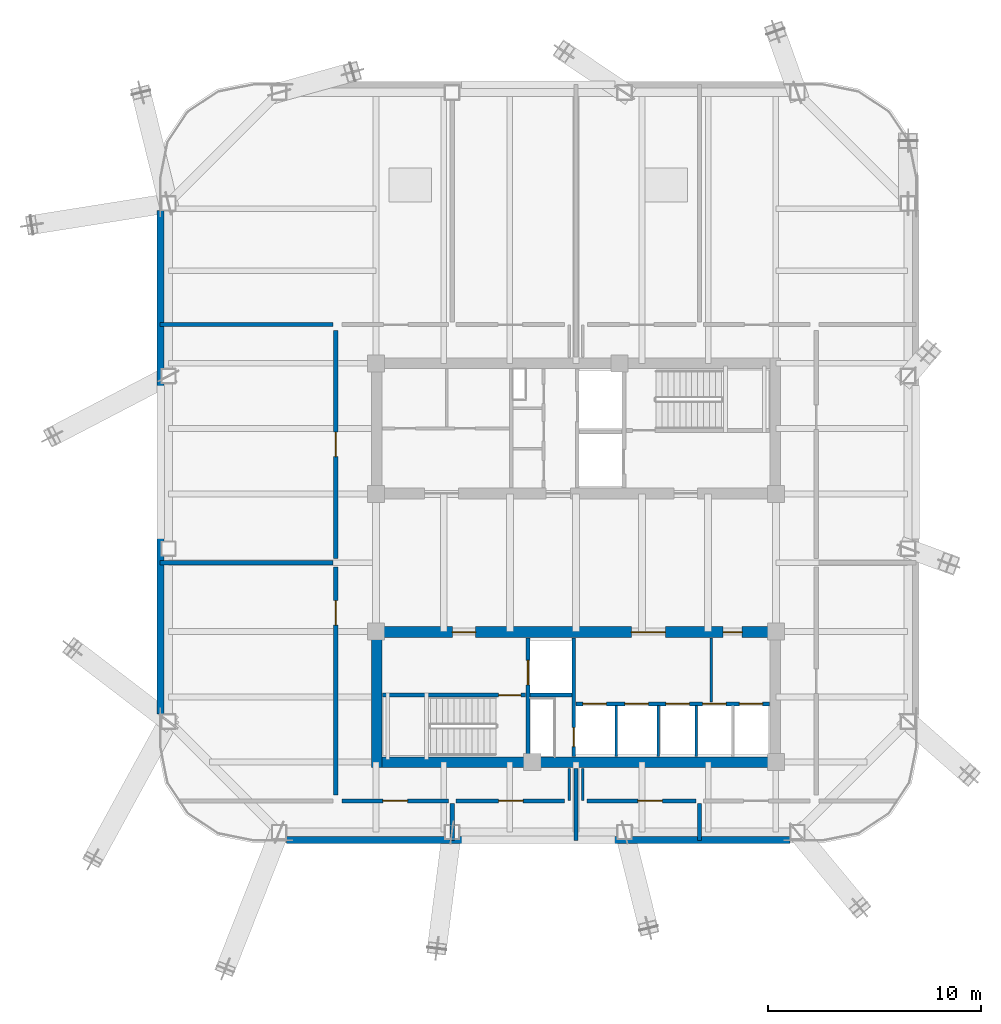
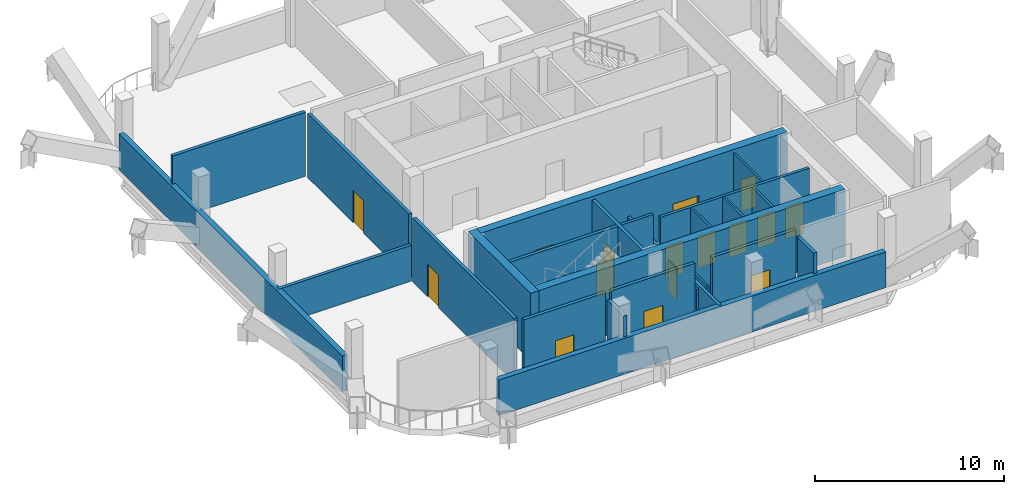
# One storey, part 3 of 8: 26 walls, 16 doors, 16 openings.
"""IFC4 building model written with IfcOpenShell, lengths in metres."""

from ifc_helpers import new_model, si_unit, direction, frame, frame_2d, origin, place, context, subcontext, project, spatial, rectangle, extrude, material, layer, layer_set, type_object, element, fill, save


model = new_model("IFC4")

# Units and contexts
model_context = context("Model", 3, precision=1e-05, world=origin(), true_north=direction((0.0, 1.0)))
body_context = subcontext(model_context, "Body", "Model", "MODEL_VIEW")
ifc_project = project(units=[si_unit("LENGTHUNIT", "METRE"), si_unit("AREAUNIT", "SQUARE_METRE"), si_unit("VOLUMEUNIT", "CUBIC_METRE"), si_unit("PLANEANGLEUNIT", "RADIAN"), si_unit("MASSUNIT", "GRAM", prefix="KILO")], contexts=[model_context])

# Site, building, storey
site_placement = place(None, origin())
site = spatial("IfcSite", under=ifc_project, at=site_placement, CompositionType="ELEMENT")
building_placement = place(site_placement, origin())
building = spatial("IfcBuilding", under=site, at=building_placement, Name="Qhalaya Broadcast Tower", CompositionType="ELEMENT")
storey_placement = place(building_placement, frame((0.0, 0.0, 151.800048828125)))
storey = spatial("IfcBuildingStorey", under=building, at=storey_placement, Name="L44", CompositionType="ELEMENT", Elevation=151.800048828125)

# Wall
ifc_material_1 = material(Name="Gypsum Acoustic Partition")
ifc_layer_1 = layer(ifc_material_1, 0.199951171875, Name="Gypsum Acoustic Partition")
ifc_layer_set_1 = layer_set([ifc_layer_1], Name="Gypsum Acoustic Partition")
wall_type_1 = type_object("IfcWallType", Name="Firefighting Lobby & Stair Enclosure Wall 200", PredefinedType="PARTITIONING", material=ifc_layer_set_1)
wall_1_placement = place(storey_placement, frame((0.0, -12.419921875, 0.0), z_axis=(0.0, 0.0, 1.0), x_axis=(0.0, 1.0, 0.0)))
element("IfcWall", 1, at=wall_1_placement, inside=storey, type_object=wall_type_1, Name="L44 Partition Wall W-OBS", PredefinedType="PARTITIONING", context=body_context, shape_type="SweptSolid", body=[
    extrude(rectangle(XDim=3.3798828125, YDim=0.199951171875, at=frame_2d((1.68994140625, 0.0))), origin(), (0.0, 0.0, 1.0), 2.31005859375),
])

# Wall, opening, door
wall_2_placement = place(storey_placement, frame((-10.969970703125, -10.570068359375, 0.0), z_axis=(0.0, 0.0, 1.0), x_axis=(1.0, 0.0, 0.0)))
wall_2 = element("IfcWall", 2, at=wall_2_placement, inside=storey, type_object=wall_type_1, Name="L44 Partition Wall W-PCS0", PredefinedType="PARTITIONING", context=body_context, shape_type="SweptSolid", body=[
    extrude(rectangle(XDim=4.989990234375, YDim=0.199951171875, at=frame_2d((2.4951171875, 0.0))), origin(), (0.0, 0.0, 1.0), 4.1298828125),
])
opening_1_placement = place(wall_2_placement, frame((1.919921875, 0.0, 0.0)))
opening_1 = element("IfcOpeningElement", 3, at=opening_1_placement, cuts=wall_2, Name="Opening D05", PredefinedType="OPENING", context=body_context, shape_type="SweptSolid", body=[
    extrude(rectangle(XDim=1.14990234375, YDim=2.10009765625, at=frame_2d((0.574951171875, 1.050048828125))), frame((0.0, 0.112060546875, 0.0), z_axis=(0.0, -1.0, 0.0), x_axis=(1.0, 0.0, 0.0)), (0.0, 0.0, 1.0), 0.223876953125),
])
ifc_material_2 = material(Name="Fire-Rated Steel Door", Category="steel")
door_type_1 = type_object("IfcDoorType", Name="Refuge & Plant Room Fire Door D05", OperationType="NOTDEFINED", PredefinedType="DOOR", material=ifc_material_2)
door_1_placement = place(opening_1_placement, origin())
door_1 = element("IfcDoor", 4, at=door_1_placement, inside=storey, type_object=door_type_1, Name="L44 Door D-PCS0", OperationType="SINGLE_SWING_RIGHT", OverallHeight=2.10009765625, OverallWidth=1.14990234375, PredefinedType="DOOR", context=body_context, shape_type="SweptSolid", body=[
    extrude(rectangle(XDim=1.14990234375, YDim=2.10009765625, at=frame_2d((0.574951171875, 1.050048828125))), frame((0.0, 0.02490234375, 0.0), z_axis=(0.0, -1.0, 0.0), x_axis=(1.0, 0.0, 0.0)), (0.0, 0.0, 1.0), 0.050048828125),
])
fill(opening_1, door_1)

# Wall
wall_3_placement = place(storey_placement, frame((-5.800048828125, -12.419921875, 0.0), z_axis=(0.0, 0.0, 1.0), x_axis=(0.0, 1.0, 0.0)))
element("IfcWall", 5, at=wall_3_placement, inside=storey, type_object=wall_type_1, Name="L44 Partition Wall W-PDS1", PredefinedType="PARTITIONING", context=body_context, shape_type="SweptSolid", body=[
    extrude(rectangle(XDim=1.72998046875, YDim=0.199951171875, at=frame_2d((0.864990234375, 0.0))), origin(), (0.0, 0.0, 1.0), 3.64697265625),
])

# Wall, opening, door
wall_4_placement = place(storey_placement, frame((-5.6201171875, -10.570068359375, 0.0), z_axis=(0.0, 0.0, 1.0), x_axis=(1.0, 0.0, 0.0)))
wall_4 = element("IfcWall", 6, at=wall_4_placement, inside=storey, type_object=wall_type_1, Name="L44 Partition Wall W-PCS1", PredefinedType="PARTITIONING", context=body_context, shape_type="SweptSolid", body=[
    extrude(rectangle(XDim=5.090087890625, YDim=0.199951171875, at=frame_2d((2.544921875, 0.0))), origin(), (0.0, 0.0, 1.0), 4.1298828125),
])
opening_2_placement = place(wall_4_placement, frame((1.989990234375, 0.0, 0.0)))
opening_2 = element("IfcOpeningElement", 7, at=opening_2_placement, cuts=wall_4, Name="Opening D05", PredefinedType="OPENING", context=body_context, shape_type="SweptSolid", body=[
    extrude(rectangle(XDim=1.14990234375, YDim=2.10009765625, at=frame_2d((0.574951171875, 1.050048828125))), frame((0.0, 0.112060546875, 0.0), z_axis=(0.0, -1.0, 0.0), x_axis=(1.0, 0.0, 0.0)), (0.0, 0.0, 1.0), 0.223876953125),
])
door_2_placement = place(opening_2_placement, origin())
door_2 = element("IfcDoor", 8, at=door_2_placement, inside=storey, type_object=door_type_1, Name="L44 Door D-PCS1", OperationType="SINGLE_SWING_RIGHT", OverallHeight=2.10009765625, OverallWidth=1.14990234375, PredefinedType="DOOR", context=body_context, shape_type="SweptSolid", body=[
    extrude(rectangle(XDim=1.14990234375, YDim=2.10009765625, at=frame_2d((0.574951171875, 1.050048828125))), frame((0.0, 0.02490234375, 0.0), z_axis=(0.0, -1.0, 0.0), x_axis=(1.0, 0.0, 0.0)), (0.0, 0.0, 1.0), 0.050048828125),
])
fill(opening_2, door_2)

wall_5_placement = place(storey_placement, frame((0.530029296875, -10.570068359375, 0.0), z_axis=(0.0, 0.0, 1.0), x_axis=(1.0, 0.0, 0.0)))
wall_5 = element("IfcWall", 9, at=wall_5_placement, inside=storey, type_object=wall_type_1, Name="L44 Partition Wall W-PCS2", PredefinedType="PARTITIONING", context=body_context, shape_type="SweptSolid", body=[
    extrude(rectangle(XDim=5.090087890625, YDim=0.199951171875, at=frame_2d((2.544921875, 0.0))), origin(), (0.0, 0.0, 1.0), 4.1298828125),
])
opening_3_placement = place(wall_5_placement, frame((2.3701171875, 0.0, 0.0)))
opening_3 = element("IfcOpeningElement", 10, at=opening_3_placement, cuts=wall_5, Name="Opening D05", PredefinedType="OPENING", context=body_context, shape_type="SweptSolid", body=[
    extrude(rectangle(XDim=1.14990234375, YDim=2.10009765625, at=frame_2d((0.574951171875, 1.050048828125))), frame((0.0, 0.112060546875, 0.0), z_axis=(0.0, -1.0, 0.0), x_axis=(1.0, 0.0, 0.0)), (0.0, 0.0, 1.0), 0.223876953125),
])
door_3_placement = place(opening_3_placement, origin())
door_3 = element("IfcDoor", 11, at=door_3_placement, inside=storey, type_object=door_type_1, Name="L44 Door D-PCS2", OperationType="SINGLE_SWING_RIGHT", OverallHeight=2.10009765625, OverallWidth=1.14990234375, PredefinedType="DOOR", context=body_context, shape_type="SweptSolid", body=[
    extrude(rectangle(XDim=1.14990234375, YDim=2.10009765625, at=frame_2d((0.574951171875, 1.050048828125))), frame((0.0, 0.02490234375, 0.0), z_axis=(0.0, -1.0, 0.0), x_axis=(1.0, 0.0, 0.0)), (0.0, 0.0, 1.0), 0.050048828125),
])
fill(opening_3, door_3)

# Walls
wall_6_placement = place(storey_placement, frame((5.800048828125, -12.419921875, 0.0), z_axis=(0.0, 0.0, 1.0), x_axis=(0.0, 1.0, 0.0)))
element("IfcWall", 12, at=wall_6_placement, inside=storey, type_object=wall_type_1, Name="L44 Partition Wall W-PDS3", PredefinedType="PARTITIONING", context=body_context, shape_type="SweptSolid", body=[
    extrude(rectangle(XDim=1.72998046875, YDim=0.199951171875, at=frame_2d((0.864990234375, 0.0))), origin(), (0.0, 0.0, 1.0), 3.64697265625),
])
wall_7_placement = place(storey_placement, frame((-19.5, 11.77001953125, 0.0), z_axis=(0.0, 0.0, 1.0), x_axis=(1.0, 0.0, 0.0)))
element("IfcWall", 13, at=wall_7_placement, inside=storey, type_object=wall_type_1, Name="L44 Partition Wall W-PBNW", PredefinedType="PARTITIONING", context=body_context, shape_type="SweptSolid", body=[
    extrude(rectangle(XDim=8.110107421875, YDim=0.199951171875, at=frame_2d((4.05517578125, 0.0))), origin(), (0.0, 0.0, 1.0), 4.1298828125),
])
wall_8_placement = place(storey_placement, frame((-19.5, 0.60009765625, 0.0), z_axis=(0.0, 0.0, 1.0), x_axis=(1.0, 0.0, 0.0)))
element("IfcWall", 14, at=wall_8_placement, inside=storey, type_object=wall_type_1, Name="L44 Partition Wall W-PDW1", PredefinedType="PARTITIONING", context=body_context, shape_type="SweptSolid", body=[
    extrude(rectangle(XDim=8.110107421875, YDim=0.199951171875, at=frame_2d((4.05517578125, 0.0))), origin(), (0.0, 0.0, 1.0), 2.31005859375),
])

# Wall, opening, door
wall_9_placement = place(storey_placement, frame((-11.27001953125, 0.389892578125, 0.0), z_axis=(0.0, 0.0, 1.0), x_axis=(0.0, -1.0, 0.0)))
wall_9 = element("IfcWall", 15, at=wall_9_placement, inside=storey, type_object=wall_type_1, Name="L44 Partition Wall W-PCW1", PredefinedType="PARTITIONING", context=body_context, shape_type="SweptSolid", body=[
    extrude(rectangle(XDim=10.679931640625, YDim=0.199951171875, at=frame_2d((5.33984375, 0.0))), origin(), (0.0, 0.0, 1.0), 4.1298828125),
])
opening_4_placement = place(wall_9_placement, frame((1.56103515625, 0.0, 0.0)))
opening_4 = element("IfcOpeningElement", 16, at=opening_4_placement, cuts=wall_9, Name="Opening D05", PredefinedType="OPENING", context=body_context, shape_type="SweptSolid", body=[
    extrude(rectangle(XDim=1.14990234375, YDim=2.10009765625, at=frame_2d((0.574951171875, 1.050048828125))), frame((0.0, 0.112060546875, 0.0), z_axis=(0.0, -1.0, 0.0), x_axis=(1.0, 0.0, 0.0)), (0.0, 0.0, 1.0), 0.223876953125),
])
door_4_placement = place(opening_4_placement, origin())
door_4 = element("IfcDoor", 17, at=door_4_placement, inside=storey, type_object=door_type_1, Name="L44 Door D-PCW1", OperationType="SINGLE_SWING_LEFT", OverallHeight=2.10009765625, OverallWidth=1.14990234375, PredefinedType="DOOR", context=body_context, shape_type="SweptSolid", body=[
    extrude(rectangle(XDim=1.14990234375, YDim=2.10009765625, at=frame_2d((0.574951171875, 1.050048828125))), frame((0.0, 0.02490234375, 0.0), z_axis=(0.0, -1.0, 0.0), x_axis=(1.0, 0.0, 0.0)), (0.0, 0.0, 1.0), 0.050048828125),
])
fill(opening_4, door_4)

wall_10_placement = place(storey_placement, frame((-11.27001953125, 11.489990234375, 0.0), z_axis=(0.0, 0.0, 1.0), x_axis=(0.0, -1.0, 0.0)))
wall_10 = element("IfcWall", 18, at=wall_10_placement, inside=storey, type_object=wall_type_1, Name="L44 Partition Wall W-PCW2", PredefinedType="PARTITIONING", context=body_context, shape_type="SweptSolid", body=[
    extrude(rectangle(XDim=10.679931640625, YDim=0.199951171875, at=frame_2d((5.33984375, 0.0))), origin(), (0.0, 0.0, 1.0), 4.1298828125),
])
opening_5_placement = place(wall_10_placement, frame((4.764892578125, 0.0, 0.0)))
opening_5 = element("IfcOpeningElement", 19, at=opening_5_placement, cuts=wall_10, Name="Opening D05", PredefinedType="OPENING", context=body_context, shape_type="SweptSolid", body=[
    extrude(rectangle(XDim=1.14990234375, YDim=2.10009765625, at=frame_2d((0.574951171875, 1.050048828125))), frame((0.0, 0.112060546875, 0.0), z_axis=(0.0, -1.0, 0.0), x_axis=(1.0, 0.0, 0.0)), (0.0, 0.0, 1.0), 0.223876953125),
])
door_5_placement = place(opening_5_placement, origin())
door_5 = element("IfcDoor", 20, at=door_5_placement, inside=storey, type_object=door_type_1, Name="L44 Door D-PCW2", OperationType="SINGLE_SWING_RIGHT", OverallHeight=2.10009765625, OverallWidth=1.14990234375, PredefinedType="DOOR", context=body_context, shape_type="SweptSolid", body=[
    extrude(rectangle(XDim=1.14990234375, YDim=2.10009765625, at=frame_2d((0.574951171875, 1.050048828125))), frame((0.0, 0.02490234375, 0.0), z_axis=(0.0, -1.0, 0.0), x_axis=(1.0, 0.0, 0.0)), (0.0, 0.0, 1.0), 0.050048828125),
])
fill(opening_5, door_5)

ifc_material_3 = material(Name="Concrete C50/60", Category="concrete")
ifc_layer_2 = layer(ifc_material_3, 0.199951171875, Name="Concrete C50/60")
ifc_layer_set_2 = layer_set([ifc_layer_2], Name="Concrete C50/60")
wall_type_2 = type_object("IfcWallType", Name="Load-Bearing Stair Shaft Wall 200", PredefinedType="SHEAR", material=ifc_layer_set_2)
wall_11_placement = place(storey_placement, frame((-9.080078125, -5.60498046875, 0.0), z_axis=(0.0, 0.0, 1.0), x_axis=(1.0, 0.0, 0.0)))
wall_11 = element("IfcWall", 21, at=wall_11_placement, inside=storey, type_object=wall_type_2, Name="L44 Stair Core Shear Wall SCW-ST2", PredefinedType="SHEAR", context=body_context, shape_type="SweptSolid", body=[
    extrude(rectangle(XDim=6.719970703125, YDim=0.199951171875, at=frame_2d((3.35986328125, 0.0))), origin(), (0.0, 0.0, 1.0), 4.1298828125),
])
opening_6_placement = place(wall_11_placement, frame((5.449951171875, 0.0, 0.0)))
opening_6 = element("IfcOpeningElement", 22, at=opening_6_placement, cuts=wall_11, Name="Opening D03", PredefinedType="OPENING", context=body_context, shape_type="SweptSolid", body=[
    extrude(rectangle(XDim=1.050048828125, YDim=2.080078125, at=frame_2d((0.52490234375, 1.0400390625))), frame((0.0, 0.112060546875, 0.0), z_axis=(0.0, -1.0, 0.0), x_axis=(1.0, 0.0, 0.0)), (0.0, 0.0, 1.0), 0.223876953125),
])
door_type_2 = type_object("IfcDoorType", Name="Core Stair Protected Fire Door D03", OperationType="NOTDEFINED", PredefinedType="DOOR", material=ifc_material_2)
door_6_placement = place(opening_6_placement, origin())
door_6 = element("IfcDoor", 23, at=door_6_placement, inside=storey, type_object=door_type_2, Name="L44 Door D-SST2", OperationType="SINGLE_SWING_RIGHT", OverallHeight=2.080078125, OverallWidth=1.050048828125, PredefinedType="DOOR", context=body_context, shape_type="SweptSolid", body=[
    extrude(rectangle(XDim=1.050048828125, YDim=2.080078125, at=frame_2d((0.52490234375, 1.0400390625))), frame((0.0, 0.02490234375, 0.0), z_axis=(0.0, -1.0, 0.0), x_axis=(1.0, 0.0, 0.0)), (0.0, 0.0, 1.0), 0.050048828125),
])
fill(opening_6, door_6)

wall_12_placement = place(storey_placement, frame((-2.25, -8.47998046875, 0.0), z_axis=(0.0, 0.0, 1.0), x_axis=(0.0, 1.0, 0.0)))
wall_12 = element("IfcWall", 24, at=wall_12_placement, inside=storey, type_object=wall_type_2, Name="L44 Stair Core Shear Wall SCW-FF", PredefinedType="SHEAR", context=body_context, shape_type="SweptSolid", body=[
    extrude(rectangle(XDim=5.56005859375, YDim=0.199951171875, at=frame_2d((2.780029296875, 0.0))), origin(), (0.0, 0.0, 1.0), 4.1298828125),
])
opening_7_placement = place(wall_12_placement, frame((3.35009765625, 0.0, 0.0)))
opening_7 = element("IfcOpeningElement", 25, at=opening_7_placement, cuts=wall_12, Name="Opening LD2", PredefinedType="OPENING", context=body_context, shape_type="SweptSolid", body=[
    extrude(rectangle(XDim=1.14990234375, YDim=2.080078125, at=frame_2d((0.574951171875, 1.0400390625))), frame((0.0, 0.112060546875, 0.0), z_axis=(0.0, -1.0, 0.0), x_axis=(1.0, 0.0, 0.0)), (0.0, 0.0, 1.0), 0.223876953125),
])
ifc_material_4 = material(Name="Brushed Stainless Steel Lift Door", Category="steel")
door_type_3 = type_object("IfcDoorType", Name="Firefighting Lift Sliding Landing Door LD2", OperationType="DOUBLE_DOOR_SLIDING", PredefinedType="DOOR", material=ifc_material_4)
door_7_placement = place(opening_7_placement, origin())
door_7 = element("IfcDoor", 26, at=door_7_placement, inside=storey, type_object=door_type_3, Name="L44 Door LD-FF2", OperationType="DOUBLE_DOOR_SLIDING", OverallHeight=2.080078125, OverallWidth=1.14990234375, PredefinedType="DOOR", context=body_context, shape_type="SweptSolid", body=[
    extrude(rectangle(XDim=1.14990234375, YDim=2.080078125, at=frame_2d((0.574951171875, 1.0400390625))), frame((0.0, 0.02490234375, 0.0), z_axis=(0.0, -1.0, 0.0), x_axis=(1.0, 0.0, 0.0)), (0.0, 0.0, 1.0), 0.050048828125),
])
fill(opening_7, door_7)

# Wall
ifc_layer_3 = layer(ifc_material_3, 0.5, Name="Concrete C50/60")
ifc_layer_set_3 = layer_set([ifc_layer_3], Name="Concrete C50/60")
wall_type_3 = type_object("IfcWallType", Name="Mid Split-Core Shear Wall 500", PredefinedType="SHEAR", material=ifc_layer_set_3)
wall_13_placement = place(storey_placement, frame((-9.60009765625, -8.75, 0.0), z_axis=(0.0, 0.0, 1.0), x_axis=(1.0, 0.0, 0.0)))
element("IfcWall", 27, at=wall_13_placement, inside=storey, type_object=wall_type_3, Name="L44 Split-Core Shear Wall CW-SS", PredefinedType="SHEAR", context=body_context, shape_type="SweptSolid", body=[
    extrude(rectangle(XDim=19.2001953125, YDim=0.5, at=frame_2d((9.60009765625, 0.0))), origin(), (0.0, 0.0, 1.0), 4.349853515625),
])

# Wall, openings, doors
wall_14_placement = place(storey_placement, frame((-9.60009765625, -2.64990234375, 0.0), z_axis=(0.0, 0.0, 1.0), x_axis=(1.0, 0.0, 0.0)))
wall_14 = element("IfcWall", 28, at=wall_14_placement, inside=storey, type_object=wall_type_3, Name="L44 Split-Core Shear Wall CW-SN", PredefinedType="SHEAR", context=body_context, shape_type="SweptSolid", body=[
    extrude(rectangle(XDim=19.2001953125, YDim=0.5, at=frame_2d((9.60009765625, 0.0))), origin(), (0.0, 0.0, 1.0), 4.349853515625),
])
opening_8_placement = place(wall_14_placement, frame((3.800048828125, 0.0, 0.0)))
opening_8 = element("IfcOpeningElement", 29, at=opening_8_placement, cuts=wall_14, Name="Opening D04", PredefinedType="OPENING", context=body_context, shape_type="SweptSolid", body=[
    extrude(rectangle(XDim=1.10009765625, YDim=2.080078125, at=frame_2d((0.550048828125, 1.0400390625))), frame((0.0, 0.261962890625, 0.0), z_axis=(0.0, -1.0, 0.0), x_axis=(1.0, 0.0, 0.0)), (0.0, 0.0, 1.0), 0.52392578125),
])
opening_9_placement = place(wall_14_placement, frame((12.199951171875, 0.0, 0.0)))
opening_9 = element("IfcOpeningElement", 30, at=opening_9_placement, cuts=wall_14, Name="Opening D07", PredefinedType="OPENING", context=body_context, shape_type="SweptSolid", body=[
    extrude(rectangle(XDim=1.60009765625, YDim=2.1201171875, at=frame_2d((0.800048828125, 1.06005859375))), frame((0.0, 0.261962890625, 0.0), z_axis=(0.0, -1.0, 0.0), x_axis=(1.0, 0.0, 0.0)), (0.0, 0.0, 1.0), 0.52392578125),
])
opening_10_placement = place(wall_14_placement, frame((16.5, 0.0, 0.0)))
opening_10 = element("IfcOpeningElement", 31, at=opening_10_placement, cuts=wall_14, Name="Opening D06", PredefinedType="OPENING", context=body_context, shape_type="SweptSolid", body=[
    extrude(rectangle(XDim=0.89990234375, YDim=2.050048828125, at=frame_2d((0.449951171875, 1.02490234375))), frame((0.0, 0.261962890625, 0.0), z_axis=(0.0, -1.0, 0.0), x_axis=(1.0, 0.0, 0.0)), (0.0, 0.0, 1.0), 0.52392578125),
])
door_type_4 = type_object("IfcDoorType", Name="Firefighting Lobby Rated Door D04", OperationType="NOTDEFINED", PredefinedType="DOOR", material=ifc_material_2)
door_8_placement = place(opening_8_placement, origin())
door_8 = element("IfcDoor", 32, at=door_8_placement, inside=storey, type_object=door_type_4, Name="L44 Door D-SFF", OperationType="SINGLE_SWING_LEFT", OverallHeight=2.080078125, OverallWidth=1.10009765625, PredefinedType="DOOR", context=body_context, shape_type="SweptSolid", body=[
    extrude(rectangle(XDim=1.10009765625, YDim=2.080078125, at=frame_2d((0.550048828125, 1.0400390625))), frame((0.0, 0.02490234375, 0.0), z_axis=(0.0, -1.0, 0.0), x_axis=(1.0, 0.0, 0.0)), (0.0, 0.0, 1.0), 0.050048828125),
])
fill(opening_8, door_8)
ifc_material_5 = material(Name="Anodised Aluminium Glazed Door", Category="aluminium")
door_type_5 = type_object("IfcDoorType", Name="Passenger Lift Lobby Double Glazed Door D07", OperationType="DOUBLE_DOOR_SINGLE_SWING", PredefinedType="DOOR", material=ifc_material_5)
door_9_placement = place(opening_9_placement, origin())
door_9 = element("IfcDoor", 33, at=door_9_placement, inside=storey, type_object=door_type_5, Name="L44 Door D-SPLL", OperationType="DOUBLE_DOOR_SINGLE_SWING", OverallHeight=2.1201171875, OverallWidth=1.60009765625, PredefinedType="DOOR", context=body_context, shape_type="SweptSolid", body=[
    extrude(rectangle(XDim=1.60009765625, YDim=2.1201171875, at=frame_2d((0.800048828125, 1.06005859375))), frame((0.0, 0.02490234375, 0.0), z_axis=(0.0, -1.0, 0.0), x_axis=(1.0, 0.0, 0.0)), (0.0, 0.0, 1.0), 0.050048828125),
])
fill(opening_9, door_9)
door_type_6 = type_object("IfcDoorType", Name="Riser & Electrical Shaft Access Door D06", OperationType="NOTDEFINED", PredefinedType="DOOR", material=ifc_material_2)
door_10_placement = place(opening_10_placement, origin())
door_10 = element("IfcDoor", 34, at=door_10_placement, inside=storey, type_object=door_type_6, Name="L44 Door D-SSCST", OperationType="SINGLE_SWING_LEFT", OverallHeight=2.050048828125, OverallWidth=0.89990234375, PredefinedType="DOOR", context=body_context, shape_type="SweptSolid", body=[
    extrude(rectangle(XDim=0.89990234375, YDim=2.050048828125, at=frame_2d((0.449951171875, 1.02490234375))), frame((0.0, 0.02490234375, 0.0), z_axis=(0.0, -1.0, 0.0), x_axis=(1.0, 0.0, 0.0)), (0.0, 0.0, 1.0), 0.050048828125),
])
fill(opening_10, door_10)

# Walls
wall_15_placement = place(storey_placement, frame((-9.35009765625, -9.0, 0.0), z_axis=(0.0, 0.0, 1.0), x_axis=(0.0, 1.0, 0.0)))
element("IfcWall", 35, at=wall_15_placement, inside=storey, type_object=wall_type_3, Name="L44 Split-Core Shear Wall CW-SW", PredefinedType="SHEAR", context=body_context, shape_type="SweptSolid", body=[
    extrude(rectangle(XDim=6.60009765625, YDim=0.5, at=frame_2d((3.300048828125, 0.0))), origin(), (0.0, 0.0, 1.0), 4.349853515625),
])
ifc_layer_4 = layer(ifc_material_1, 0.1201171875, Name="Gypsum Acoustic Partition")
ifc_layer_set_4 = layer_set([ifc_layer_4], Name="Gypsum Acoustic Partition")
wall_type_4 = type_object("IfcWallType", Name="Office, Booth & Sanitary Partition 120", PredefinedType="PARTITIONING", material=ifc_layer_set_4)
for number, where, z_axis, x_axis, name in (
    (36, (1.8798828125, -8.47998046875, 0.0), (0.0, 0.0, 1.0), (0.0, 1.0, 0.0), "L44 Partition Wall SCW-MD4"),
    (37, (3.85009765625, -8.47998046875, 0.0), (0.0, 0.0, 1.0), (0.0, 1.0, 0.0), "L44 Partition Wall SCW-MD5"),
    (38, (5.639892578125, -8.47998046875, 0.0), (0.0, 0.0, 1.0), (0.0, 1.0, 0.0), "L44 Partition Wall SCW-HD6"),
):
    element("IfcWall", number, at=place(storey_placement, frame(where, z_axis=z_axis, x_axis=x_axis)), inside=storey, type_object=wall_type_4, Name=name, PredefinedType="PARTITIONING", context=body_context, shape_type="SweptSolid", body=[
        extrude(rectangle(XDim=2.3798828125, YDim=0.1201171875, at=frame_2d((1.18994140625, 0.0))), origin(), (0.0, 0.0, 1.0), 4.1298828125),
    ])
wall_16_placement = place(storey_placement, frame((6.35009765625, -5.93994140625, 0.0), z_axis=(0.0, 0.0, 1.0), x_axis=(0.0, 1.0, 0.0)))
element("IfcWall", 39, at=wall_16_placement, inside=storey, type_object=wall_type_4, Name="L44 Partition Wall SCW-LKB", PredefinedType="PARTITIONING", context=body_context, shape_type="SweptSolid", body=[
    extrude(rectangle(XDim=3.02001953125, YDim=0.1201171875, at=frame_2d((1.510009765625, 0.0))), origin(), (0.0, 0.0, 1.0), 4.1298828125),
])
for number, where, z_axis, x_axis, name in (
    (40, (-0.320068359375, -10.550048828125, 0.0), (0.0, 0.0, 1.0), (0.0, 1.0, 0.0), "L44 Partition Wall W-OBSCW"),
    (41, (0.320068359375, -10.550048828125, 0.0), (0.0, 0.0, 1.0), (0.0, 1.0, 0.0), "L44 Partition Wall W-OBSCE"),
):
    element("IfcWall", number, at=place(storey_placement, frame(where, z_axis=z_axis, x_axis=x_axis)), inside=storey, type_object=wall_type_4, Name=name, PredefinedType="PARTITIONING", context=body_context, shape_type="SweptSolid", body=[
        extrude(rectangle(XDim=1.510009765625, YDim=0.1201171875, at=frame_2d((0.7548828125, 0.0))), origin(), (0.0, 0.0, 1.0), 2.31005859375),
    ])
ifc_material_6 = material(Name="Precast Concrete C40/50", Category="concrete")
ifc_layer_5 = layer(ifc_material_6, 0.320068359375, Name="Precast Concrete C40/50")
ifc_layer_set_5 = layer_set([ifc_layer_5], Name="Precast Concrete C40/50")
wall_type_5 = type_object("IfcWallType", Name="Recessed Neck Insulated Exterior Wall 320", PredefinedType="SOLIDWALL", material=ifc_layer_set_5)
for number, where, z_axis, x_axis, name in (
    (42, (10.0419921875, -12.39990234375, 0.0), (0.0, 0.0, 1.0), (-1.0, 0.0, 0.0), "L44 Exterior Facade Wall S"),
    (43, (-19.47998046875, -6.501953125, 0.0), (0.0, 0.0, 1.0), (0.0, 1.0, 0.0), "L44 Exterior Facade Wall W"),
):
    element("IfcWall", number, at=place(storey_placement, frame(where, z_axis=z_axis, x_axis=x_axis)), inside=storey, type_object=wall_type_5, Name=name, PredefinedType="SOLIDWALL", context=body_context, shape_type="SweptSolid", body=[
        extrude(rectangle(XDim=23.6240234375, YDim=0.320068359375, at=frame_2d((11.81201171875, 0.0))), origin(), (0.0, 0.0, 1.0), 2.31005859375),
    ])

# Wall, opening, door
ifc_layer_6 = layer(ifc_material_1, 0.175048828125, Name="Gypsum Acoustic Partition")
ifc_layer_set_6 = layer_set([ifc_layer_6], Name="Gypsum Acoustic Partition")
wall_type_6 = type_object("IfcWallType", Name="Shaft & Riser Fire Partition 175", PredefinedType="PARTITIONING", material=ifc_layer_set_6)
wall_17_placement = place(storey_placement, frame((-0.10009765625, -8.47998046875, 0.0), z_axis=(0.0, 0.0, 1.0), x_axis=(0.0, 1.0, 0.0)))
wall_17 = element("IfcWall", 44, at=wall_17_placement, inside=storey, type_object=wall_type_6, Name="L44 Partition Wall SCW-FFE", PredefinedType="PARTITIONING", context=body_context, shape_type="SweptSolid", body=[
    extrude(rectangle(XDim=5.56005859375, YDim=0.175048828125, at=frame_2d((2.780029296875, 0.0))), origin(), (0.0, 0.0, 1.0), 2.31005859375),
])
opening_11_placement = place(wall_17_placement, frame((0.449951171875, 0.0, 0.0)))
opening_11 = element("IfcOpeningElement", 45, at=opening_11_placement, cuts=wall_17, Name="Opening D06", PredefinedType="OPENING", context=body_context, shape_type="SweptSolid", body=[
    extrude(rectangle(XDim=0.89990234375, YDim=2.050048828125, at=frame_2d((0.449951171875, 1.02490234375))), frame((0.0, 0.099609375, 0.0), z_axis=(0.0, -1.0, 0.0), x_axis=(1.0, 0.0, 0.0)), (0.0, 0.0, 1.0), 0.198974609375),
])
door_11_placement = place(opening_11_placement, origin())
door_11 = element("IfcDoor", 46, at=door_11_placement, inside=storey, type_object=door_type_6, Name="L44 Riser Shaft Access Door D-SRSR", OperationType="SINGLE_SWING_LEFT", OverallHeight=2.050048828125, OverallWidth=0.89990234375, PredefinedType="DOOR", context=body_context, shape_type="SweptSolid", body=[
    extrude(rectangle(XDim=0.89990234375, YDim=2.050048828125, at=frame_2d((0.449951171875, 1.02490234375))), frame((0.0, 0.02490234375, 0.0), z_axis=(0.0, -1.0, 0.0), x_axis=(1.0, 0.0, 0.0)), (0.0, 0.0, 1.0), 0.050048828125),
])
fill(opening_11, door_11)

# Wall
wall_18_placement = place(storey_placement, frame((-2.14990234375, -5.60009765625, 0.0), z_axis=(0.0, 0.0, 1.0), x_axis=(1.0, 0.0, 0.0)))
element("IfcWall", 47, at=wall_18_placement, inside=storey, type_object=wall_type_6, Name="L44 Partition Wall SCW-FFM", PredefinedType="PARTITIONING", context=body_context, shape_type="SweptSolid", body=[
    extrude(rectangle(XDim=1.969970703125, YDim=0.175048828125, at=frame_2d((0.98486328125, 0.0))), origin(), (0.0, 0.0, 1.0), 4.1298828125),
])

# Wall, openings, doors
wall_19_placement = place(storey_placement, frame((0.0, -6.02001953125, 0.0), z_axis=(0.0, 0.0, 1.0), x_axis=(1.0, 0.0, 0.0)))
wall_19 = element("IfcWall", 48, at=wall_19_placement, inside=storey, type_object=wall_type_6, Name="L44 Partition Wall SCW-SLB", PredefinedType="PARTITIONING", context=body_context, shape_type="SweptSolid", body=[
    extrude(rectangle(XDim=9.080078125, YDim=0.175048828125, at=frame_2d((4.5400390625, 0.0))), origin(), (0.0, 0.0, 1.0), 4.1298828125),
])
opening_12_placement = place(wall_19_placement, frame((0.330078125, 0.0, 0.0)))
opening_12 = element("IfcOpeningElement", 49, at=opening_12_placement, cuts=wall_19, Name="Opening LD1", PredefinedType="OPENING", context=body_context, shape_type="SweptSolid", body=[
    extrude(rectangle(XDim=1.10009765625, YDim=2.06005859375, at=frame_2d((0.550048828125, 1.030029296875))), frame((0.0, 0.099609375, 0.0), z_axis=(0.0, -1.0, 0.0), x_axis=(1.0, 0.0, 0.0)), (0.0, 0.0, 1.0), 0.198974609375),
])
opening_13_placement = place(wall_19_placement, frame((2.300048828125, 0.0, 0.0)))
opening_13 = element("IfcOpeningElement", 50, at=opening_13_placement, cuts=wall_19, Name="Opening LD1", PredefinedType="OPENING", context=body_context, shape_type="SweptSolid", body=[
    extrude(rectangle(XDim=1.10009765625, YDim=2.06005859375, at=frame_2d((0.550048828125, 1.030029296875))), frame((0.0, 0.099609375, 0.0), z_axis=(0.0, -1.0, 0.0), x_axis=(1.0, 0.0, 0.0)), (0.0, 0.0, 1.0), 0.198974609375),
])
opening_14_placement = place(wall_19_placement, frame((4.219970703125, 0.0, 0.0)))
opening_14 = element("IfcOpeningElement", 51, at=opening_14_placement, cuts=wall_19, Name="Opening LD1", PredefinedType="OPENING", context=body_context, shape_type="SweptSolid", body=[
    extrude(rectangle(XDim=1.10009765625, YDim=2.06005859375, at=frame_2d((0.550048828125, 1.030029296875))), frame((0.0, 0.099609375, 0.0), z_axis=(0.0, -1.0, 0.0), x_axis=(1.0, 0.0, 0.0)), (0.0, 0.0, 1.0), 0.198974609375),
])
opening_15_placement = place(wall_19_placement, frame((5.93994140625, 0.0, 0.0)))
opening_15 = element("IfcOpeningElement", 52, at=opening_15_placement, cuts=wall_19, Name="Opening LD1", PredefinedType="OPENING", context=body_context, shape_type="SweptSolid", body=[
    extrude(rectangle(XDim=1.10009765625, YDim=2.06005859375, at=frame_2d((0.550048828125, 1.030029296875))), frame((0.0, 0.099609375, 0.0), z_axis=(0.0, -1.0, 0.0), x_axis=(1.0, 0.0, 0.0)), (0.0, 0.0, 1.0), 0.198974609375),
])
opening_16_placement = place(wall_19_placement, frame((7.659912109375, 0.0, 0.0)))
opening_16 = element("IfcOpeningElement", 53, at=opening_16_placement, cuts=wall_19, Name="Opening LD1", PredefinedType="OPENING", context=body_context, shape_type="SweptSolid", body=[
    extrude(rectangle(XDim=1.10009765625, YDim=2.06005859375, at=frame_2d((0.550048828125, 1.030029296875))), frame((0.0, 0.099609375, 0.0), z_axis=(0.0, -1.0, 0.0), x_axis=(1.0, 0.0, 0.0)), (0.0, 0.0, 1.0), 0.198974609375),
])
door_type_7 = type_object("IfcDoorType", Name="Passenger Lift Sliding Landing Door LD1", OperationType="DOUBLE_DOOR_SLIDING", PredefinedType="DOOR", material=ifc_material_4)
door_12_placement = place(opening_12_placement, origin())
door_12 = element("IfcDoor", 54, at=door_12_placement, inside=storey, type_object=door_type_7, Name="L44 Door LD-P4", OperationType="DOUBLE_DOOR_SLIDING", OverallHeight=2.06005859375, OverallWidth=1.10009765625, PredefinedType="DOOR", context=body_context, shape_type="SweptSolid", body=[
    extrude(rectangle(XDim=1.10009765625, YDim=2.06005859375, at=frame_2d((0.550048828125, 1.030029296875))), frame((0.0, 0.02490234375, 0.0), z_axis=(0.0, -1.0, 0.0), x_axis=(1.0, 0.0, 0.0)), (0.0, 0.0, 1.0), 0.050048828125),
])
fill(opening_12, door_12)
door_13_placement = place(opening_13_placement, origin())
door_13 = element("IfcDoor", 55, at=door_13_placement, inside=storey, type_object=door_type_7, Name="L44 Door LD-P5", OperationType="DOUBLE_DOOR_SLIDING", OverallHeight=2.06005859375, OverallWidth=1.10009765625, PredefinedType="DOOR", context=body_context, shape_type="SweptSolid", body=[
    extrude(rectangle(XDim=1.10009765625, YDim=2.06005859375, at=frame_2d((0.550048828125, 1.030029296875))), frame((0.0, 0.02490234375, 0.0), z_axis=(0.0, -1.0, 0.0), x_axis=(1.0, 0.0, 0.0)), (0.0, 0.0, 1.0), 0.050048828125),
])
fill(opening_13, door_13)
door_14_placement = place(opening_14_placement, origin())
door_14 = element("IfcDoor", 56, at=door_14_placement, inside=storey, type_object=door_type_7, Name="L44 Door LD-P6", OperationType="DOUBLE_DOOR_SLIDING", OverallHeight=2.06005859375, OverallWidth=1.10009765625, PredefinedType="DOOR", context=body_context, shape_type="SweptSolid", body=[
    extrude(rectangle(XDim=1.10009765625, YDim=2.06005859375, at=frame_2d((0.550048828125, 1.030029296875))), frame((0.0, 0.02490234375, 0.0), z_axis=(0.0, -1.0, 0.0), x_axis=(1.0, 0.0, 0.0)), (0.0, 0.0, 1.0), 0.050048828125),
])
fill(opening_14, door_14)
door_15_placement = place(opening_15_placement, origin())
door_15 = element("IfcDoor", 57, at=door_15_placement, inside=storey, type_object=door_type_7, Name="L44 Door LD-P7", OperationType="DOUBLE_DOOR_SLIDING", OverallHeight=2.06005859375, OverallWidth=1.10009765625, PredefinedType="DOOR", context=body_context, shape_type="SweptSolid", body=[
    extrude(rectangle(XDim=1.10009765625, YDim=2.06005859375, at=frame_2d((0.550048828125, 1.030029296875))), frame((0.0, 0.02490234375, 0.0), z_axis=(0.0, -1.0, 0.0), x_axis=(1.0, 0.0, 0.0)), (0.0, 0.0, 1.0), 0.050048828125),
])
fill(opening_15, door_15)
door_16_placement = place(opening_16_placement, origin())
door_16 = element("IfcDoor", 58, at=door_16_placement, inside=storey, type_object=door_type_7, Name="L44 Door LD-P8", OperationType="DOUBLE_DOOR_SLIDING", OverallHeight=2.06005859375, OverallWidth=1.10009765625, PredefinedType="DOOR", context=body_context, shape_type="SweptSolid", body=[
    extrude(rectangle(XDim=1.10009765625, YDim=2.06005859375, at=frame_2d((0.550048828125, 1.030029296875))), frame((0.0, 0.02490234375, 0.0), z_axis=(0.0, -1.0, 0.0), x_axis=(1.0, 0.0, 0.0)), (0.0, 0.0, 1.0), 0.050048828125),
])
fill(opening_16, door_16)

save(model, "model.ifc")
